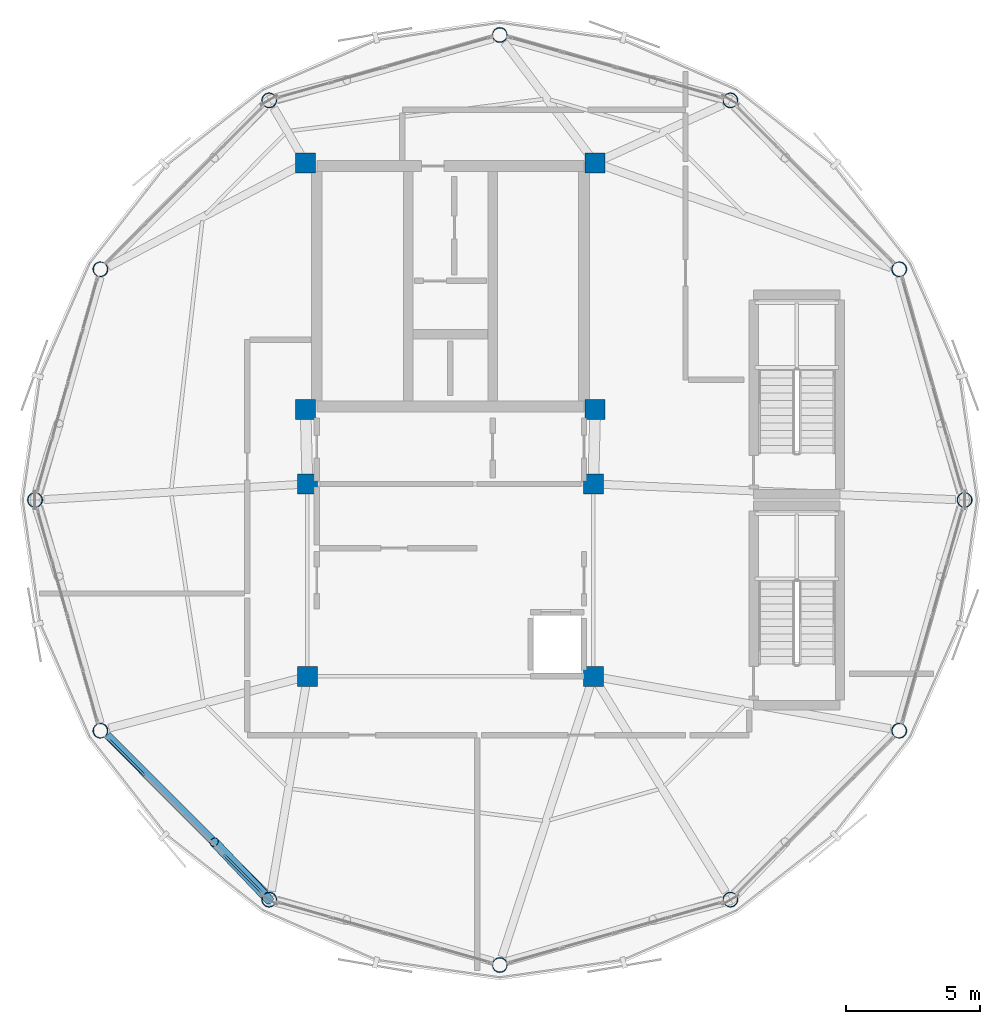
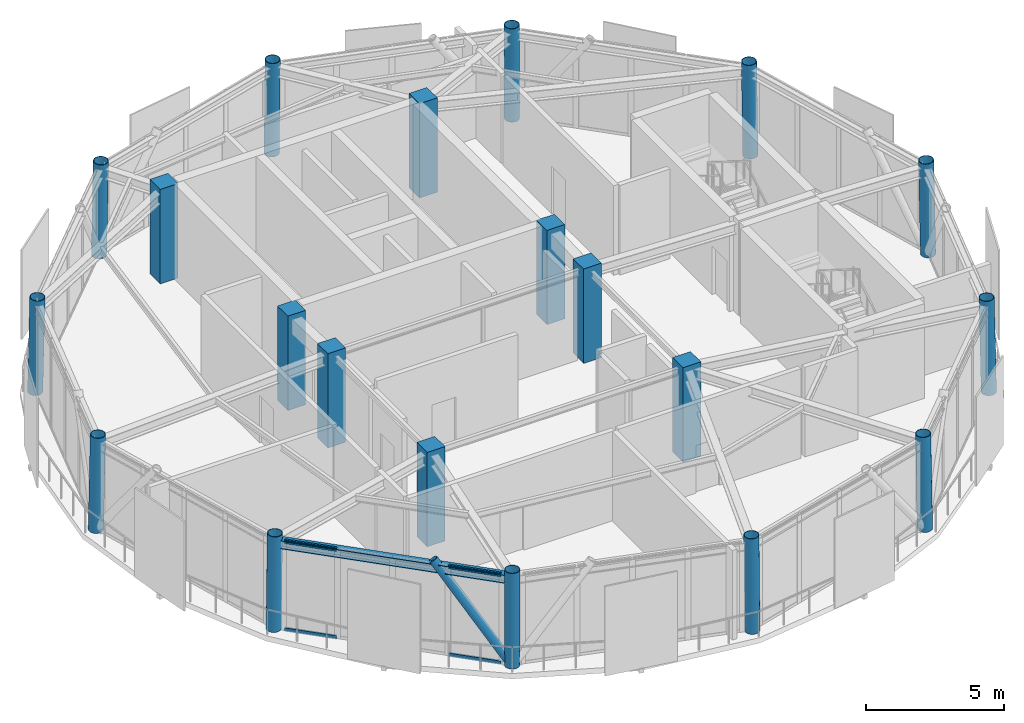
# One storey, part 1 of 20: 20 columns, 5 members, 1 beam, 1 element without a shape of its own.
"""IFC4 building model written with IfcOpenShell, lengths in metres."""

import ifcopenshell
import ifcopenshell.guid

model = None  # the IFC model being written
_history = None  # IfcOwnerHistory: only IFC2X3 demands one
_inside = {}  # id of a spatial element -> (the spatial element, [elements in it])
_under = {}  # id of a project, library or spatial element -> (it, [spatial elements below it])
_declared = {}  # id of a project -> (the project, [libraries it declares])
_typed = {}  # id of a type object -> (the type object, [elements of that type])
_made_of = {}  # id of a material, layer set ... -> (it, [elements and type objects made of it])


def new_model(schema):
    """Start an empty IFC model of exactly this schema.

    Asked for "IFC4X3", IfcOpenShell would pick the latest addendum, in which some entities
    have other attributes; the version numbers below select the first issue.
    IFC2X3 requires an IfcOwnerHistory on every rooted entity: one is made here for all.
    """
    global model, _history
    if schema == "IFC4X3":
        model = ifcopenshell.file(schema_version=(4, 3, 0, 0))
    else:
        model = ifcopenshell.file(schema=schema)
    _inside.clear()
    _under.clear()
    _declared.clear()
    _typed.clear()
    _made_of.clear()
    _history = None
    if model.schema == "IFC2X3":
        org = make("IfcOrganization", Name="unknown")
        user = make(
            "IfcPersonAndOrganization",
            ThePerson=make("IfcPerson", FamilyName="unknown"),
            TheOrganization=org,
        )
        app = make(
            "IfcApplication",
            ApplicationDeveloper=org,
            Version="unknown",
            ApplicationFullName="unknown",
            ApplicationIdentifier="unknown",
        )
        _history = make(
            "IfcOwnerHistory",
            OwningUser=user,
            OwningApplication=app,
            ChangeAction="ADDED",
            CreationDate=0,
        )
    return model


def make(cls, **values):
    """One entity of the class cls with the attributes given. An attribute that is None is left unset."""
    return model.create_entity(
        cls, **{name: value for name, value in values.items() if value is not None}
    )


def rooted(cls, **values):
    """An entity with a GlobalId (a new one), such as an element, a storey or a relation."""
    return make(cls, GlobalId=ifcopenshell.guid.new(), OwnerHistory=_history, **values)


def si_unit(unit_type, name, prefix=None):
    """IfcSIUnit, for example si_unit("LENGTHUNIT", "METRE", prefix="MILLI")."""
    return make("IfcSIUnit", UnitType=unit_type, Prefix=prefix, Name=name)


def assignment(units):
    """IfcUnitAssignment: the units of a project."""
    return None if units is None else make("IfcUnitAssignment", Units=units)


def point(xyz):
    """IfcCartesianPoint."""
    return None if xyz is None else make("IfcCartesianPoint", Coordinates=xyz)


def direction(xyz):
    """IfcDirection."""
    return None if xyz is None else make("IfcDirection", DirectionRatios=xyz)


def frame(location, z_axis=None, x_axis=None):
    """IfcAxis2Placement3D, a coordinate frame: its origin and axes. An axis left out is left unset."""
    return make(
        "IfcAxis2Placement3D",
        Location=point(location),
        Axis=direction(z_axis),
        RefDirection=direction(x_axis),
    )


def frame_2d(location, x_axis=None):
    """IfcAxis2Placement2D, a coordinate frame in the plane: its origin and x axis."""
    return make(
        "IfcAxis2Placement2D", Location=point(location), RefDirection=direction(x_axis)
    )


def origin():
    """The frame at (0, 0, 0) with its axes left unset."""
    return frame((0.0, 0.0, 0.0))


def origin_2d():
    """The frame at (0, 0) in the plane with its x axis left unset."""
    return frame_2d((0.0, 0.0))


def place(relative_to, where):
    """IfcLocalPlacement: puts the frame where relative to a parent placement (None: the world)."""
    return make(
        "IfcLocalPlacement", PlacementRelTo=relative_to, RelativePlacement=where
    )


def context(
    kind, dimensions, precision=None, world=None, true_north=None, identifier=None
):
    """IfcGeometricRepresentationContext, for example the 3D "Model" context."""
    return make(
        "IfcGeometricRepresentationContext",
        ContextIdentifier=identifier,
        ContextType=kind,
        CoordinateSpaceDimension=dimensions,
        Precision=precision,
        WorldCoordinateSystem=world,
        TrueNorth=true_north,
    )


def subcontext(parent, identifier, kind, view, scale=None):
    """IfcGeometricRepresentationSubContext, for example "Body" below "Model"."""
    return make(
        "IfcGeometricRepresentationSubContext",
        ContextIdentifier=identifier,
        ContextType=kind,
        ParentContext=parent,
        TargetScale=scale,
        TargetView=view,
    )


def project(units=None, contexts=None):
    """IfcProject with its units and contexts."""
    return rooted(
        "IfcProject",
        Name="project",
        RepresentationContexts=contexts,
        UnitsInContext=assignment(units),
    )


def spatial(cls, under=None, at=None, **own):
    """A site, building, storey or space (cls), placed at a placement, below another one or the project."""
    s = rooted(cls, ObjectPlacement=at, **own)
    if under is not None:
        _under.setdefault(under.id(), (under, []))[1].append(s)
    return s


def profile(cls, at=None, kind="AREA", **sizes):
    """A parametric profile (cls). Its sizes go by their IFC names, for example OverallWidth=200.0."""
    return make(cls, ProfileType=kind, Position=at, **sizes)


def rectangle(**sizes):
    """IfcRectangleProfileDef."""
    return profile("IfcRectangleProfileDef", **sizes)


def hollow_rectangle(**sizes):
    """IfcRectangleHollowProfileDef."""
    return profile("IfcRectangleHollowProfileDef", **sizes)


def hollow_circle(**sizes):
    """IfcCircleHollowProfileDef."""
    return profile("IfcCircleHollowProfileDef", **sizes)


def i_section(**sizes):
    """IfcIShapeProfileDef."""
    return profile("IfcIShapeProfileDef", **sizes)


def extrude(swept, where, along, depth):
    """IfcExtrudedAreaSolid: the profile swept, set in the frame where, extruded along a direction by depth."""
    return make(
        "IfcExtrudedAreaSolid",
        SweptArea=swept,
        Position=where,
        ExtrudedDirection=direction(along),
        Depth=depth,
    )


def shape(context_of_items, identifier, shape_type, items):
    """IfcShapeRepresentation: the items that make up one representation, for example the "Body"."""
    return make(
        "IfcShapeRepresentation",
        ContextOfItems=context_of_items,
        RepresentationIdentifier=identifier,
        RepresentationType=shape_type,
        Items=items,
    )


def material(Name=None, Category=None):
    """IfcMaterial."""
    return make("IfcMaterial", Name=Name, Category=Category)


def layer(
    of_material, thickness, ventilated=None, Name=None, Category=None, Priority=None
):
    """IfcMaterialLayer: one layer of a wall or slab, of a material (None: an air gap)."""
    return make(
        "IfcMaterialLayer",
        Material=of_material,
        LayerThickness=thickness,
        IsVentilated=ventilated,
        Name=Name,
        Category=Category,
        Priority=Priority,
    )


def layer_set(layers, Name=None):
    """IfcMaterialLayerSet."""
    return make("IfcMaterialLayerSet", MaterialLayers=layers, LayerSetName=Name)


def material_profile(
    of_material, cross_section, Name=None, Category=None, Priority=None
):
    """IfcMaterialProfile: a cross section and its material."""
    return make(
        "IfcMaterialProfile",
        Name=Name,
        Material=of_material,
        Profile=cross_section,
        Priority=Priority,
        Category=Category,
    )


def profile_set(profiles, Name=None, composite=None):
    """IfcMaterialProfileSet."""
    return make(
        "IfcMaterialProfileSet",
        Name=Name,
        MaterialProfiles=profiles,
        CompositeProfile=composite,
    )


def made_of(thing, what):
    """Note that an element or type object is made of a material, layer set ...; save() writes the relation."""
    if what is not None:
        _made_of.setdefault(what.id(), (what, []))[1].append(thing)
    return thing


def type_object(cls, material=None, **own):
    """A type object (cls), such as IfcWallType, which elements share."""
    return made_of(rooted(cls, **own), material)


def element(
    cls,
    number,
    at=None,
    inside=None,
    cuts=None,
    type_object=None,
    material=None,
    context=None,
    identifier="Body",
    shape_type=None,
    held_by="IfcProductDefinitionShape",
    body=None,
    shapes=None,
    **own,
):
    """One element of the class cls, such as IfcWall. Its Tag is "e" and its number.

    at: its placement. inside: the storey or other place that contains it. cuts: it is an
    opening in that element (IfcRelVoidsElement). A single representation is given by context,
    identifier, shape_type and body (its items); several are given by shapes. held_by: the class
    of the entity that holds the representations. save() writes the other relations.
    """
    e = rooted(cls, Tag="e%d" % number, ObjectPlacement=at, **own)
    if body is not None:
        shapes = [shape(context, identifier, shape_type, body)]
    if shapes is not None:
        e.Representation = make(held_by, Representations=shapes)
    if inside is not None:
        _inside.setdefault(inside.id(), (inside, []))[1].append(e)
    if cuts is not None:
        rooted(
            "IfcRelVoidsElement", RelatingBuildingElement=cuts, RelatedOpeningElement=e
        )
    if type_object is not None:
        _typed.setdefault(type_object.id(), (type_object, []))[1].append(e)
    return made_of(e, material)


def aggregate(whole, parts):
    """IfcRelAggregates: a whole, such as a stair, and the parts it consists of."""
    return rooted("IfcRelAggregates", RelatingObject=whole, RelatedObjects=parts)


def save(model, path):
    """Write the relations noted so far, then the file.

    IfcRelAggregates (storeys below a building ...), IfcRelContainedInSpatialStructure (elements
    in a storey), IfcRelDefinesByType, IfcRelAssociatesMaterial and IfcRelDeclares: one each for
    every whole, place, type object, material and project.
    """
    for whole, parts in _under.values():
        aggregate(whole, parts)
    for where, things in _inside.values():
        rooted(
            "IfcRelContainedInSpatialStructure",
            RelatedElements=things,
            RelatingStructure=where,
        )
    for kind, things in _typed.values():
        rooted("IfcRelDefinesByType", RelatedObjects=things, RelatingType=kind)
    for what, things in _made_of.values():
        rooted("IfcRelAssociatesMaterial", RelatedObjects=things, RelatingMaterial=what)
    for by, libraries in _declared.values():
        rooted("IfcRelDeclares", RelatingContext=by, RelatedDefinitions=libraries)
    model.write(path)


model = new_model("IFC4")

# Units and contexts
model_context = context("Model", 3, precision=1e-05, world=origin(), true_north=direction((0.0, 1.0)))
body_context = subcontext(model_context, "Body", "Model", "MODEL_VIEW")
ifc_project = project(units=[si_unit("LENGTHUNIT", "METRE"), si_unit("AREAUNIT", "SQUARE_METRE"), si_unit("VOLUMEUNIT", "CUBIC_METRE"), si_unit("PLANEANGLEUNIT", "RADIAN"), si_unit("MASSUNIT", "GRAM", prefix="KILO")], contexts=[model_context])

# Site, building, storey
site_placement = place(None, origin())
site = spatial("IfcSite", under=ifc_project, at=site_placement, CompositionType="ELEMENT")
building_placement = place(site_placement, origin())
building = spatial("IfcBuilding", under=site, at=building_placement, Name="Varnakorn Sky Granary", CompositionType="ELEMENT")
storey_placement = place(building_placement, frame((0.0, 0.0, 306.60009765625)))
storey = spatial("IfcBuildingStorey", under=building, at=storey_placement, Name="L78", CompositionType="ELEMENT", Elevation=306.60009765625)

# Columns
ifc_material_1 = material(Name="Steel S460M", Category="steel")
ifc_material_profile_1 = material_profile(ifc_material_1, hollow_circle(Radius=0.279541015625, WallThickness=0.02001953125, at=origin_2d()), Name="CHS 559x20")
ifc_profile_set_1 = profile_set([ifc_material_profile_1], Name="Steel S460M")
column_type_1 = type_object("IfcColumnType", Name="COL-DC-Z5", PredefinedType="COLUMN", material=ifc_profile_set_1)
column_1_placement = place(storey_placement, frame((22.257080078125, 0.0, 0.0), z_axis=(-0.020638877747, 0.0, 0.999786995677), x_axis=(0.0, -1.0, 0.0)))
element("IfcColumn", 1, at=column_1_placement, inside=storey, type_object=column_type_1, Name="Drum Perimeter Column DC01 L78", PredefinedType="COLUMN", context=body_context, shape_type="SweptSolid", body=[
    extrude(hollow_circle(Radius=0.279541015625, WallThickness=0.02001953125, at=origin_2d()), origin(), (0.0, 0.0, 1.0), 4.17578125),
])
for number, where, z_axis, x_axis, name in (
    (2, (19.80810546875, 8.639404296875, 0.0), (-0.017891229395, -0.008477870138, 0.999803995605), (0.428213287816, -0.903677697046, 0.0), "Drum Perimeter Column DC02 L78"),
    (3, (13.486083984375, 14.964111328125, 0.0), (-0.010290735286, -0.014734461887, 0.999838485157), (0.819842821722, -0.572588637393, 0.0), "Drum Perimeter Column DC03 L78"),
):
    element("IfcColumn", number, at=place(storey_placement, frame(where, z_axis=z_axis, x_axis=x_axis)), inside=storey, type_object=column_type_1, Name=name, PredefinedType="COLUMN", context=body_context, shape_type="SweptSolid", body=[
        extrude(hollow_circle(Radius=0.279541015625, WallThickness=0.02001953125, at=origin_2d()), origin(), (0.0, 0.0, 1.0), 4.175537109375),
    ])
column_2_placement = place(storey_placement, frame((4.85009765625, 17.4140625, 0.0), z_axis=(0.0, -0.017015080282, 0.999855233043), x_axis=(1.0, 0.0, 0.0)))
element("IfcColumn", 4, at=column_2_placement, inside=storey, type_object=column_type_1, Name="Drum Perimeter Column DC04 L78", PredefinedType="COLUMN", context=body_context, shape_type="SweptSolid", body=[
    extrude(hollow_circle(Radius=0.279541015625, WallThickness=0.02001953125, at=origin_2d()), origin(), (0.0, 0.0, 1.0), 4.17529296875),
])
for number, where, z_axis, x_axis, name in (
    (5, (-3.785888671875, 14.964111328125, 0.0), (0.010290735286, -0.014734461887, 0.999838485157), (0.819842821722, 0.572588637393, 0.0), "Drum Perimeter Column DC05 L78"),
    (6, (-10.10791015625, 8.639404296875, 0.0), (0.017832779949, -0.008477878992, 0.999805039759), (0.429358789068, 0.903134004592, 0.0), "Drum Perimeter Column DC06 L78"),
):
    element("IfcColumn", number, at=place(storey_placement, frame(where, z_axis=z_axis, x_axis=x_axis)), inside=storey, type_object=column_type_1, Name=name, PredefinedType="COLUMN", context=body_context, shape_type="SweptSolid", body=[
        extrude(hollow_circle(Radius=0.279541015625, WallThickness=0.02001953125, at=origin_2d()), origin(), (0.0, 0.0, 1.0), 4.175537109375),
    ])
column_3_placement = place(storey_placement, frame((-12.556884765625, 0.0, 0.0), z_axis=(0.02058043547, 0.0, 0.999788200408), x_axis=(0.0, 1.0, 0.0)))
element("IfcColumn", 7, at=column_3_placement, inside=storey, type_object=column_type_1, Name="Drum Perimeter Column DC07 L78", PredefinedType="COLUMN", context=body_context, shape_type="SweptSolid", body=[
    extrude(hollow_circle(Radius=0.279541015625, WallThickness=0.02001953125, at=origin_2d()), origin(), (0.0, 0.0, 1.0), 4.17578125),
])
for number, where, z_axis, x_axis, name in (
    (8, (-10.10791015625, -8.639404296875, 0.0), (0.017832779949, 0.008477878992, 0.999805039759), (-0.429358789068, 0.903134004592, 0.0), "Drum Perimeter Column DC08 L78"),
    (9, (-3.785888671875, -14.964111328125, 0.0), (0.010290735286, 0.014734461887, 0.999838485157), (-0.819842821722, 0.572588637393, 0.0), "Drum Perimeter Column DC09 L78"),
):
    element("IfcColumn", number, at=place(storey_placement, frame(where, z_axis=z_axis, x_axis=x_axis)), inside=storey, type_object=column_type_1, Name=name, PredefinedType="COLUMN", context=body_context, shape_type="SweptSolid", body=[
        extrude(hollow_circle(Radius=0.279541015625, WallThickness=0.02001953125, at=origin_2d()), origin(), (0.0, 0.0, 1.0), 4.175537109375),
    ])
column_4_placement = place(storey_placement, frame((4.85009765625, -17.4140625, 0.0), z_axis=(0.0, 0.017015080282, 0.999855233043), x_axis=(-1.0, 0.0, 0.0)))
element("IfcColumn", 10, at=column_4_placement, inside=storey, type_object=column_type_1, Name="Drum Perimeter Column DC10 L78", PredefinedType="COLUMN", context=body_context, shape_type="SweptSolid", body=[
    extrude(hollow_circle(Radius=0.279541015625, WallThickness=0.02001953125, at=origin_2d()), origin(), (0.0, 0.0, 1.0), 4.17529296875),
])
for number, where, z_axis, x_axis, name in (
    (11, (13.486083984375, -14.964111328125, 0.0), (-0.010290735286, 0.014734461887, 0.999838485157), (-0.819842821722, -0.572588637393, 0.0), "Drum Perimeter Column DC11 L78"),
    (12, (19.80810546875, -8.639404296875, 0.0), (-0.017891229395, 0.008477870138, 0.999803995605), (-0.428213287816, -0.903677697046, 0.0), "Drum Perimeter Column DC12 L78"),
):
    element("IfcColumn", number, at=place(storey_placement, frame(where, z_axis=z_axis, x_axis=x_axis)), inside=storey, type_object=column_type_1, Name=name, PredefinedType="COLUMN", context=body_context, shape_type="SweptSolid", body=[
        extrude(hollow_circle(Radius=0.279541015625, WallThickness=0.02001953125, at=origin_2d()), origin(), (0.0, 0.0, 1.0), 4.175537109375),
    ])
ifc_material_2 = material(Name="Concrete C50/60", Category="concrete")
ifc_material_profile_2 = material_profile(ifc_material_2, rectangle(XDim=0.75, YDim=0.75, at=origin_2d()), Name="RC 750x750")
ifc_profile_set_2 = profile_set([ifc_material_profile_2], Name="Concrete C50/60")
column_type_2 = type_object("IfcColumnType", Name="COL-MC-Z5", PredefinedType="COLUMN", material=ifc_profile_set_2)
for number, where, z_axis, x_axis, name in (
    (13, (-2.419921875, 12.6201171875, 0.0), (0.0, 0.0, 1.0), (1.0, 0.0, 0.0), "Backbone Mega-Column MC1 L78"),
    (14, (8.419921875, 12.6201171875, 0.0), (0.0, 0.0, 1.0), (1.0, 0.0, 0.0), "Backbone Mega-Column MC2 L78"),
    (15, (-2.419921875, 3.3798828125, 0.0), (0.0, 0.0, 1.0), (1.0, 0.0, 0.0), "Backbone Mega-Column MC3 L78"),
    (16, (8.419921875, 3.3798828125, 0.0), (0.0, 0.0, 1.0), (1.0, 0.0, 0.0), "Backbone Mega-Column MC4 L78"),
    (17, (-2.35009765625, 0.60009765625, 0.0), (0.0, 0.0, 1.0), (1.0, 0.0, 0.0), "Backbone Mega-Column MC5 L78"),
    (18, (8.35009765625, 0.60009765625, 0.0), (0.0, 0.0, 1.0), (1.0, 0.0, 0.0), "Backbone Mega-Column MC6 L78"),
    (19, (-2.35009765625, -6.60009765625, 0.0), (0.0, 0.0, 1.0), (1.0, 0.0, 0.0), "Backbone Mega-Column MC7 L78"),
    (20, (8.35009765625, -6.60009765625, 0.0), (0.0, 0.0, 1.0), (1.0, 0.0, 0.0), "Backbone Mega-Column MC8 L78"),
):
    element("IfcColumn", number, at=place(storey_placement, frame(where, z_axis=z_axis, x_axis=x_axis)), inside=storey, type_object=column_type_2, Name=name, PredefinedType="COLUMN", context=body_context, shape_type="SweptSolid", body=[
        extrude(rectangle(XDim=0.75, YDim=0.75, at=origin_2d()), origin(), (0.0, 0.0, 1.0), 4.1748046875),
    ])

# Beam
ifc_material_3 = material(Name="Steel S355JR", Category="steel")
ifc_material_profile_3 = material_profile(ifc_material_3, i_section(OverallWidth=0.300048828125, OverallDepth=0.360107421875, WebThickness=0.012451171875, FlangeThickness=0.0224609375, at=origin_2d()), Name="HE 360 B")
ifc_profile_set_3 = profile_set([ifc_material_profile_3], Name="Steel S355JR")
beam_type = type_object("IfcBeamType", Name="BM-SPD-Z5", PredefinedType="SPANDREL", material=ifc_profile_set_3)
beam_placement = place(storey_placement, frame((-9.8466796875, -8.791259765625, 3.77978515625), z_axis=(0.706669260359, -0.707544031467, 0.0), x_axis=(0.707544031467, 0.706669260359, 0.0)))
element("IfcBeam", 21, at=beam_placement, inside=storey, type_object=beam_type, Name="Perimeter Spandrel Ring Beam RB08 L78", PredefinedType="SPANDREL", context=body_context, shape_type="SweptSolid", body=[
    extrude(i_section(OverallWidth=0.300048828125, OverallDepth=0.360107421875, WebThickness=0.012451171875, FlangeThickness=0.0224609375, at=origin_2d()), origin(), (0.0, 0.0, 1.0), 8.372802734375),
])

# Curtain wall, members
ifc_material_4 = material(Name="Anodised Bronze Aluminium Alloy 6063-T6", Category="aluminium")
ifc_layer = layer(ifc_material_4, 0.22998046875, Name="Anodised Bronze Aluminium Alloy 6063-T6")
ifc_layer_set = layer_set([ifc_layer], Name="Anodised Bronze Aluminium Alloy 6063-T6")
curtain_wall_type = type_object("IfcCurtainWallType", Name="CW-LNT-1", PredefinedType="USERDEFINED", material=ifc_layer_set)
curtain_wall_placement = place(storey_placement, origin())
curtain_wall = element("IfcCurtainWall", 22, at=curtain_wall_placement, inside=storey, type_object=curtain_wall_type, Name="Unitised Curtain Wall CW7 CW-L78-B08", ObjectType="CURTAIN WALL", PredefinedType="USERDEFINED")
ifc_material_profile_4 = material_profile(ifc_material_4, hollow_rectangle(XDim=0.074951171875, YDim=0.159912109375, WallThickness=0.00390625, at=origin_2d()), Name="ALU TRAN 75x160")
ifc_profile_set_4 = profile_set([ifc_material_profile_4], Name="Anodised Bronze Aluminium Alloy 6063-T6")
member_type_1 = type_object("IfcMemberType", Name="CW-LNT-1-TRAN", PredefinedType="USERDEFINED", material=ifc_profile_set_4)
member_1_placement = place(storey_placement, frame((-4.0791015625, -14.6708984375, 0.037353515625), z_axis=(-0.706919277741, 0.707294234925, 0.0), x_axis=(-0.707294234925, -0.706919277741, 0.0)))
member_1 = element("IfcMember", 23, at=member_1_placement, type_object=member_type_1, Name="CW7 transom 1.1", ObjectType="TRANSOM", PredefinedType="USERDEFINED", context=body_context, shape_type="SweptSolid", body=[
    extrude(hollow_rectangle(XDim=0.074951171875, YDim=0.159912109375, WallThickness=0.00390625, at=origin_2d()), origin(), (0.0, 0.0, 1.0), 1.953369140625),
])
member_2_placement = place(storey_placement, frame((-4.0791015625, -14.6708984375, 3.92236328125), z_axis=(-0.706919277741, 0.707294234925, 0.0), x_axis=(-0.707294234925, -0.706919277741, 0.0)))
member_2 = element("IfcMember", 24, at=member_2_placement, type_object=member_type_1, Name="CW7 transom 1.2", ObjectType="TRANSOM", PredefinedType="USERDEFINED", context=body_context, shape_type="SweptSolid", body=[
    extrude(hollow_rectangle(XDim=0.074951171875, YDim=0.159912109375, WallThickness=0.00390625, at=origin_2d()), origin(), (0.0, 0.0, 1.0), 1.953369140625),
])
member_3_placement = place(storey_placement, frame((-8.43408203125, -10.314208984375, 0.037353515625), z_axis=(-0.706919277741, 0.707294234925, 0.0), x_axis=(-0.707294234925, -0.706919277741, 0.0)))
member_3 = element("IfcMember", 25, at=member_3_placement, type_object=member_type_1, Name="CW7 transom 4.1", ObjectType="TRANSOM", PredefinedType="USERDEFINED", context=body_context, shape_type="SweptSolid", body=[
    extrude(hollow_rectangle(XDim=0.074951171875, YDim=0.159912109375, WallThickness=0.00390625, at=origin_2d()), origin(), (0.0, 0.0, 1.0), 1.953369140625),
])
member_4_placement = place(storey_placement, frame((-8.43408203125, -10.314208984375, 3.92236328125), z_axis=(-0.706919277741, 0.707294234925, 0.0), x_axis=(-0.707294234925, -0.706919277741, 0.0)))
member_4 = element("IfcMember", 26, at=member_4_placement, type_object=member_type_1, Name="CW7 transom 4.2", ObjectType="TRANSOM", PredefinedType="USERDEFINED", context=body_context, shape_type="SweptSolid", body=[
    extrude(hollow_rectangle(XDim=0.074951171875, YDim=0.159912109375, WallThickness=0.00390625, at=origin_2d()), origin(), (0.0, 0.0, 1.0), 1.953369140625),
])
aggregate(curtain_wall, [member_1, member_2, member_3, member_4])

# Member
ifc_material_profile_5 = material_profile(ifc_material_1, hollow_circle(Radius=0.177734375, WallThickness=0.01416015625, at=origin_2d()), Name="CHS 355.6x14")
ifc_profile_set_5 = profile_set([ifc_material_profile_5], Name="Steel S460M")
member_type_2 = type_object("IfcMemberType", Name="MB-DIAG-T5", PredefinedType="BRACE", material=ifc_profile_set_5)
member_5_placement = place(storey_placement, frame((-3.785888671875, -14.964111328125, 0.0), z_axis=(-0.405821333328, 0.426997556475, 0.80807309829), x_axis=(-0.724852216462, -0.688904394158, 0.0)))
element("IfcMember", 27, at=member_5_placement, inside=storey, type_object=member_type_2, Name="Perimeter CHS Diagrid Brace DG08 L78", PredefinedType="BRACE", context=body_context, shape_type="SweptSolid", body=[
    extrude(hollow_circle(Radius=0.177734375, WallThickness=0.01416015625, at=origin_2d()), origin(), (0.0, 0.0, 1.0), 5.061279296875),
])

save(model, "model.ifc")
